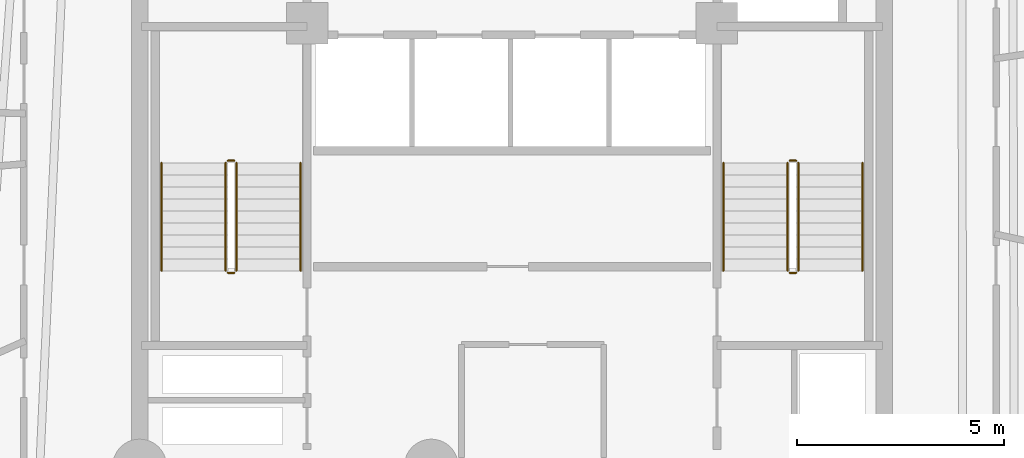
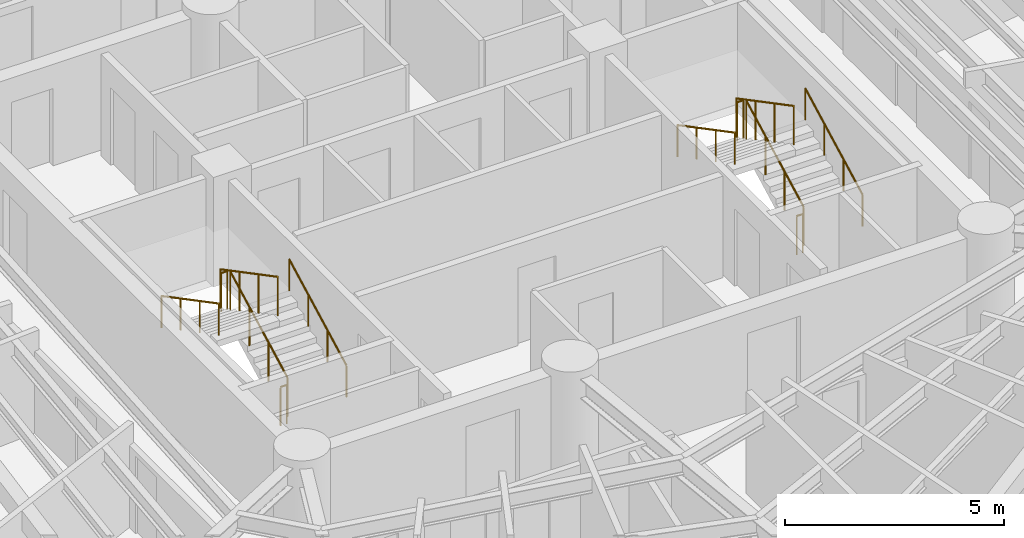
# One storey, part 8 of 8: 12 railings.
"""IFC4 building model written with IfcOpenShell, lengths in metres."""

from ifc_helpers import new_model, si_unit, direction, frame, origin, origin_2d, place, context, subcontext, project, spatial, circle, extrude, material, layer, layer_set, type_object, element, save


model = new_model("IFC4")

# Units and contexts
model_context = context("Model", 3, precision=1e-05, world=origin(), true_north=direction((0.0, 1.0)))
body_context = subcontext(model_context, "Body", "Model", "MODEL_VIEW")
ifc_project = project(units=[si_unit("LENGTHUNIT", "METRE"), si_unit("AREAUNIT", "SQUARE_METRE"), si_unit("VOLUMEUNIT", "CUBIC_METRE"), si_unit("PLANEANGLEUNIT", "RADIAN"), si_unit("MASSUNIT", "GRAM", prefix="KILO")], contexts=[model_context])

# Site, building, storey
site_placement = place(None, origin())
site = spatial("IfcSite", under=ifc_project, at=site_placement, CompositionType="ELEMENT")
building_placement = place(site_placement, origin())
building = spatial("IfcBuilding", under=site, at=building_placement, Name="Karkom Vertical University and Central Library", CompositionType="ELEMENT")
storey_placement = place(building_placement, frame((0.0, 0.0, 162.64990234375)))
storey = spatial("IfcBuildingStorey", under=building, at=storey_placement, Name="L46", CompositionType="ELEMENT", Elevation=162.64990234375)

# Railings
ifc_material_1 = material(Name="Painted galvanised steel balustrade", Category="steel")
ifc_layer_1 = layer(ifc_material_1, 0.06005859375)
ifc_layer_set_1 = layer_set([ifc_layer_1], Name="Painted galvanised steel balustrade")
railing_type_1 = type_object("IfcRailingType", Name="INT-RL-GUARD1100", PredefinedType="GUARDRAIL", material=ifc_layer_set_1)
railing_1_placement = place(storey_placement, frame((21.840087890625, 23.02001953125, 0.152587890625)))
element("IfcRailing", 1, at=railing_1_placement, inside=storey, type_object=railing_type_1, Name="Level 46 ST-1 stair guard 1", PredefinedType="GUARDRAIL", context=body_context, shape_type="SweptSolid", body=[
    extrude(circle(Radius=0.02392578125, at=origin_2d()), frame((0.0, 0.0, 1.076171875), z_axis=(0.0, 0.885065446896, 0.46546659892), x_axis=(-1.0, 0.0, 0.0)), (0.0, 0.0, 1.0), 2.94873046875),
    extrude(circle(Radius=0.02099609375, at=origin_2d()), origin(), (0.0, 0.0, 1.0), 1.052001953125),
    extrude(circle(Radius=0.02099609375, at=origin_2d()), frame((0.0, 0.869873046875, 0.45751953125)), (0.0, 0.0, 1.0), 1.052001953125),
    extrude(circle(Radius=0.02099609375, at=origin_2d()), frame((0.0, 1.739990234375, 0.9150390625)), (0.0, 0.0, 1.0), 1.052001953125),
    extrude(circle(Radius=0.02099609375, at=origin_2d()), frame((0.0, 2.60986328125, 1.37255859375)), (0.0, 0.0, 1.0), 1.052001953125),
])
railing_2_placement = place(storey_placement, frame((21.7900390625, 25.679931640625, 1.525146484375)))
element("IfcRailing", 2, at=railing_2_placement, inside=storey, type_object=railing_type_1, Name="Level 46 ST-1 stair guard 2", PredefinedType="GUARDRAIL", context=body_context, shape_type="SweptSolid", body=[
    extrude(circle(Radius=0.02392578125, at=origin_2d()), frame((0.0, 0.0, 1.076171875), z_axis=(-1.0, 0.0, 0.0), x_axis=(0.0, -1.0, 0.0)), (0.0, 0.0, 1.0), 0.16015625),
    extrude(circle(Radius=0.02099609375, at=origin_2d()), origin(), (0.0, 0.0, 1.0), 1.052001953125),
    extrude(circle(Radius=0.02099609375, at=origin_2d()), frame((-0.16015625, 0.0, 0.0)), (0.0, 0.0, 1.0), 1.052001953125),
])
railing_3_placement = place(storey_placement, frame((21.580078125, 25.6298828125, 1.677490234375)))
element("IfcRailing", 3, at=railing_3_placement, inside=storey, type_object=railing_type_1, Name="Level 46 ST-1 stair guard 3", PredefinedType="GUARDRAIL", context=body_context, shape_type="SweptSolid", body=[
    extrude(circle(Radius=0.02392578125, at=origin_2d()), frame((0.0, 0.0, 1.076171875), z_axis=(0.0, -0.885065446896, 0.46546659892), x_axis=(1.0, 0.0, 0.0)), (0.0, 0.0, 1.0), 2.94873046875),
    extrude(circle(Radius=0.02099609375, at=origin_2d()), origin(), (0.0, 0.0, 1.0), 1.052001953125),
    extrude(circle(Radius=0.02099609375, at=origin_2d()), frame((0.0, -0.869873046875, 0.45751953125)), (0.0, 0.0, 1.0), 1.052001953125),
    extrude(circle(Radius=0.02099609375, at=origin_2d()), frame((0.0, -1.739990234375, 0.9150390625)), (0.0, 0.0, 1.0), 1.052001953125),
    extrude(circle(Radius=0.02099609375, at=origin_2d()), frame((0.0, -2.60986328125, 1.37255859375)), (0.0, 0.0, 1.0), 1.052001953125),
])
railing_4_placement = place(storey_placement, frame((21.7900390625, 22.969970703125, 0.0)))
element("IfcRailing", 4, at=railing_4_placement, inside=storey, type_object=railing_type_1, Name="Level 46 ST-1 stair guard 4", PredefinedType="GUARDRAIL", context=body_context, shape_type="SweptSolid", body=[
    extrude(circle(Radius=0.02392578125, at=origin_2d()), frame((0.0, 0.0, 1.076171875), z_axis=(-1.0, 0.0, 0.0), x_axis=(0.0, -1.0, 0.0)), (0.0, 0.0, 1.0), 0.16015625),
    extrude(circle(Radius=0.02099609375, at=origin_2d()), origin(), (0.0, 0.0, 1.0), 1.052001953125),
    extrude(circle(Radius=0.02099609375, at=origin_2d()), frame((-0.16015625, 0.0, 0.0)), (0.0, 0.0, 1.0), 1.052001953125),
])
railing_5_placement = place(storey_placement, frame((35.419921875, 23.02001953125, 0.152587890625)))
element("IfcRailing", 5, at=railing_5_placement, inside=storey, type_object=railing_type_1, Name="Level 46 ST-2 stair guard 1", PredefinedType="GUARDRAIL", context=body_context, shape_type="SweptSolid", body=[
    extrude(circle(Radius=0.02392578125, at=origin_2d()), frame((0.0, 0.0, 1.076171875), z_axis=(0.0, 0.885065446896, 0.46546659892), x_axis=(-1.0, 0.0, 0.0)), (0.0, 0.0, 1.0), 2.94873046875),
    extrude(circle(Radius=0.02099609375, at=origin_2d()), origin(), (0.0, 0.0, 1.0), 1.052001953125),
    extrude(circle(Radius=0.02099609375, at=origin_2d()), frame((0.0, 0.869873046875, 0.45751953125)), (0.0, 0.0, 1.0), 1.052001953125),
    extrude(circle(Radius=0.02099609375, at=origin_2d()), frame((0.0, 1.739990234375, 0.9150390625)), (0.0, 0.0, 1.0), 1.052001953125),
    extrude(circle(Radius=0.02099609375, at=origin_2d()), frame((0.0, 2.60986328125, 1.37255859375)), (0.0, 0.0, 1.0), 1.052001953125),
])
railing_6_placement = place(storey_placement, frame((35.3701171875, 25.679931640625, 1.525146484375)))
element("IfcRailing", 6, at=railing_6_placement, inside=storey, type_object=railing_type_1, Name="Level 46 ST-2 stair guard 2", PredefinedType="GUARDRAIL", context=body_context, shape_type="SweptSolid", body=[
    extrude(circle(Radius=0.02392578125, at=origin_2d()), frame((0.0, 0.0, 1.076171875), z_axis=(-1.0, 0.0, 0.0), x_axis=(0.0, -1.0, 0.0)), (0.0, 0.0, 1.0), 0.16015625),
    extrude(circle(Radius=0.02099609375, at=origin_2d()), origin(), (0.0, 0.0, 1.0), 1.052001953125),
    extrude(circle(Radius=0.02099609375, at=origin_2d()), frame((-0.16015625, 0.0, 0.0)), (0.0, 0.0, 1.0), 1.052001953125),
])
railing_7_placement = place(storey_placement, frame((35.159912109375, 25.6298828125, 1.677490234375)))
element("IfcRailing", 7, at=railing_7_placement, inside=storey, type_object=railing_type_1, Name="Level 46 ST-2 stair guard 3", PredefinedType="GUARDRAIL", context=body_context, shape_type="SweptSolid", body=[
    extrude(circle(Radius=0.02392578125, at=origin_2d()), frame((0.0, 0.0, 1.076171875), z_axis=(0.0, -0.885065446896, 0.46546659892), x_axis=(1.0, 0.0, 0.0)), (0.0, 0.0, 1.0), 2.94873046875),
    extrude(circle(Radius=0.02099609375, at=origin_2d()), origin(), (0.0, 0.0, 1.0), 1.052001953125),
    extrude(circle(Radius=0.02099609375, at=origin_2d()), frame((0.0, -0.869873046875, 0.45751953125)), (0.0, 0.0, 1.0), 1.052001953125),
    extrude(circle(Radius=0.02099609375, at=origin_2d()), frame((0.0, -1.739990234375, 0.9150390625)), (0.0, 0.0, 1.0), 1.052001953125),
    extrude(circle(Radius=0.02099609375, at=origin_2d()), frame((0.0, -2.60986328125, 1.37255859375)), (0.0, 0.0, 1.0), 1.052001953125),
])
railing_8_placement = place(storey_placement, frame((35.3701171875, 22.969970703125, 0.0)))
element("IfcRailing", 8, at=railing_8_placement, inside=storey, type_object=railing_type_1, Name="Level 46 ST-2 stair guard 4", PredefinedType="GUARDRAIL", context=body_context, shape_type="SweptSolid", body=[
    extrude(circle(Radius=0.02392578125, at=origin_2d()), frame((0.0, 0.0, 1.076171875), z_axis=(-1.0, 0.0, 0.0), x_axis=(0.0, -1.0, 0.0)), (0.0, 0.0, 1.0), 0.16015625),
    extrude(circle(Radius=0.02099609375, at=origin_2d()), origin(), (0.0, 0.0, 1.0), 1.052001953125),
    extrude(circle(Radius=0.02099609375, at=origin_2d()), frame((-0.16015625, 0.0, 0.0)), (0.0, 0.0, 1.0), 1.052001953125),
])
ifc_material_2 = material(Name="Brushed stainless-steel tubular handrail", Category="steel")
ifc_layer_2 = layer(ifc_material_2, 0.048095703125)
ifc_layer_set_2 = layer_set([ifc_layer_2], Name="Brushed stainless-steel tubular handrail")
railing_type_2 = type_object("IfcRailingType", Name="INT-RL-HAND920", PredefinedType="HANDRAIL", material=ifc_layer_set_2)
railing_9_placement = place(storey_placement, frame((23.389892578125, 23.02001953125, 0.152587890625)))
element("IfcRailing", 9, at=railing_9_placement, inside=storey, type_object=railing_type_2, Name="Level 46 ST-1 stair handrail 1", PredefinedType="HANDRAIL", context=body_context, shape_type="SweptSolid", body=[
    extrude(circle(Radius=0.02392578125, at=origin_2d()), frame((0.0, 0.0, 0.8759765625), z_axis=(0.0, 0.885065446896, 0.46546659892), x_axis=(-1.0, 0.0, 0.0)), (0.0, 0.0, 1.0), 2.94873046875),
    extrude(circle(Radius=0.02099609375, at=origin_2d()), origin(), (0.0, 0.0, 1.0), 0.851806640625),
    extrude(circle(Radius=0.02099609375, at=origin_2d()), frame((0.0, 0.869873046875, 0.45751953125)), (0.0, 0.0, 1.0), 0.851806640625),
    extrude(circle(Radius=0.02099609375, at=origin_2d()), frame((0.0, 1.739990234375, 0.9150390625)), (0.0, 0.0, 1.0), 0.851806640625),
    extrude(circle(Radius=0.02099609375, at=origin_2d()), frame((0.0, 2.60986328125, 1.37255859375)), (0.0, 0.0, 1.0), 0.851806640625),
])
railing_10_placement = place(storey_placement, frame((20.030029296875, 25.6298828125, 1.677490234375)))
element("IfcRailing", 10, at=railing_10_placement, inside=storey, type_object=railing_type_2, Name="Level 46 ST-1 stair handrail 2", PredefinedType="HANDRAIL", context=body_context, shape_type="SweptSolid", body=[
    extrude(circle(Radius=0.02392578125, at=origin_2d()), frame((0.0, 0.0, 0.8759765625), z_axis=(0.0, -0.885065446896, 0.46546659892), x_axis=(1.0, 0.0, 0.0)), (0.0, 0.0, 1.0), 2.94873046875),
    extrude(circle(Radius=0.02099609375, at=origin_2d()), origin(), (0.0, 0.0, 1.0), 0.851806640625),
    extrude(circle(Radius=0.02099609375, at=origin_2d()), frame((0.0, -0.869873046875, 0.45751953125)), (0.0, 0.0, 1.0), 0.851806640625),
    extrude(circle(Radius=0.02099609375, at=origin_2d()), frame((0.0, -1.739990234375, 0.9150390625)), (0.0, 0.0, 1.0), 0.851806640625),
    extrude(circle(Radius=0.02099609375, at=origin_2d()), frame((0.0, -2.60986328125, 1.37255859375)), (0.0, 0.0, 1.0), 0.851806640625),
])
railing_11_placement = place(storey_placement, frame((36.969970703125, 23.02001953125, 0.152587890625)))
element("IfcRailing", 11, at=railing_11_placement, inside=storey, type_object=railing_type_2, Name="Level 46 ST-2 stair handrail 1", PredefinedType="HANDRAIL", context=body_context, shape_type="SweptSolid", body=[
    extrude(circle(Radius=0.02392578125, at=origin_2d()), frame((0.0, 0.0, 0.8759765625), z_axis=(0.0, 0.885065446896, 0.46546659892), x_axis=(-1.0, 0.0, 0.0)), (0.0, 0.0, 1.0), 2.94873046875),
    extrude(circle(Radius=0.02099609375, at=origin_2d()), origin(), (0.0, 0.0, 1.0), 0.851806640625),
    extrude(circle(Radius=0.02099609375, at=origin_2d()), frame((0.0, 0.869873046875, 0.45751953125)), (0.0, 0.0, 1.0), 0.851806640625),
    extrude(circle(Radius=0.02099609375, at=origin_2d()), frame((0.0, 1.739990234375, 0.9150390625)), (0.0, 0.0, 1.0), 0.851806640625),
    extrude(circle(Radius=0.02099609375, at=origin_2d()), frame((0.0, 2.60986328125, 1.37255859375)), (0.0, 0.0, 1.0), 0.851806640625),
])
railing_12_placement = place(storey_placement, frame((33.610107421875, 25.6298828125, 1.677490234375)))
element("IfcRailing", 12, at=railing_12_placement, inside=storey, type_object=railing_type_2, Name="Level 46 ST-2 stair handrail 2", PredefinedType="HANDRAIL", context=body_context, shape_type="SweptSolid", body=[
    extrude(circle(Radius=0.02392578125, at=origin_2d()), frame((0.0, 0.0, 0.8759765625), z_axis=(0.0, -0.885065446896, 0.46546659892), x_axis=(1.0, 0.0, 0.0)), (0.0, 0.0, 1.0), 2.94873046875),
    extrude(circle(Radius=0.02099609375, at=origin_2d()), origin(), (0.0, 0.0, 1.0), 0.851806640625),
    extrude(circle(Radius=0.02099609375, at=origin_2d()), frame((0.0, -0.869873046875, 0.45751953125)), (0.0, 0.0, 1.0), 0.851806640625),
    extrude(circle(Radius=0.02099609375, at=origin_2d()), frame((0.0, -1.739990234375, 0.9150390625)), (0.0, 0.0, 1.0), 0.851806640625),
    extrude(circle(Radius=0.02099609375, at=origin_2d()), frame((0.0, -2.60986328125, 1.37255859375)), (0.0, 0.0, 1.0), 0.851806640625),
])

save(model, "model.ifc")
